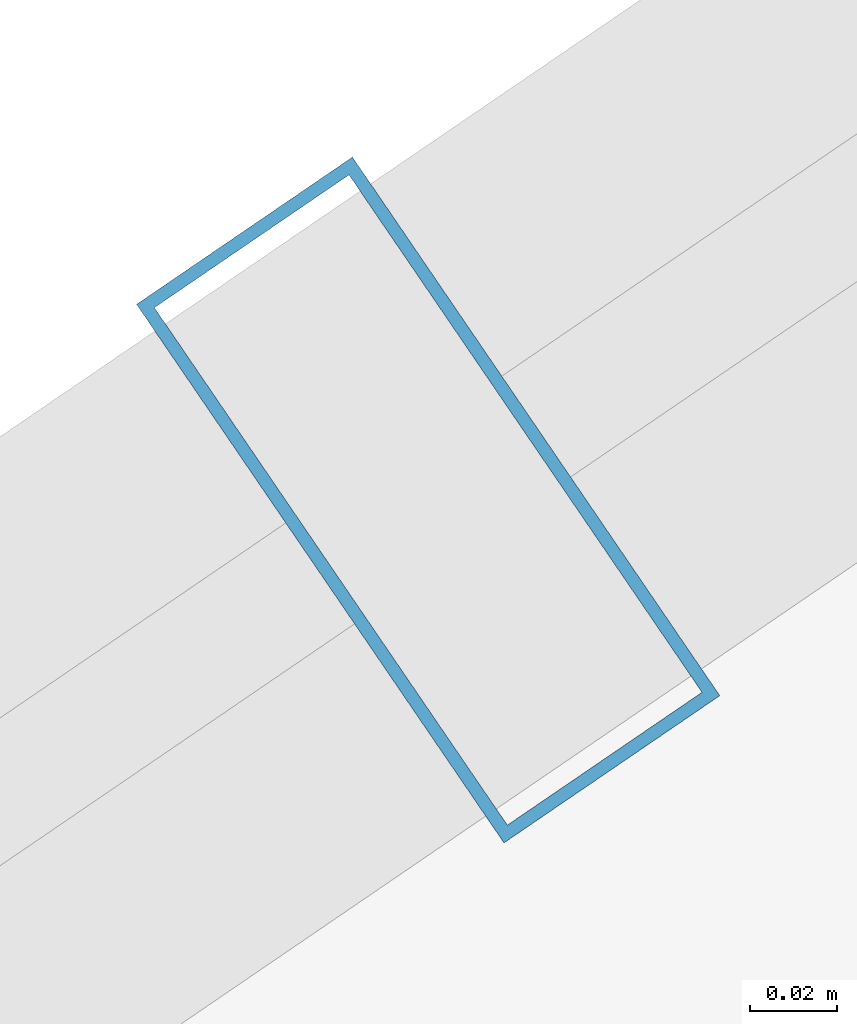
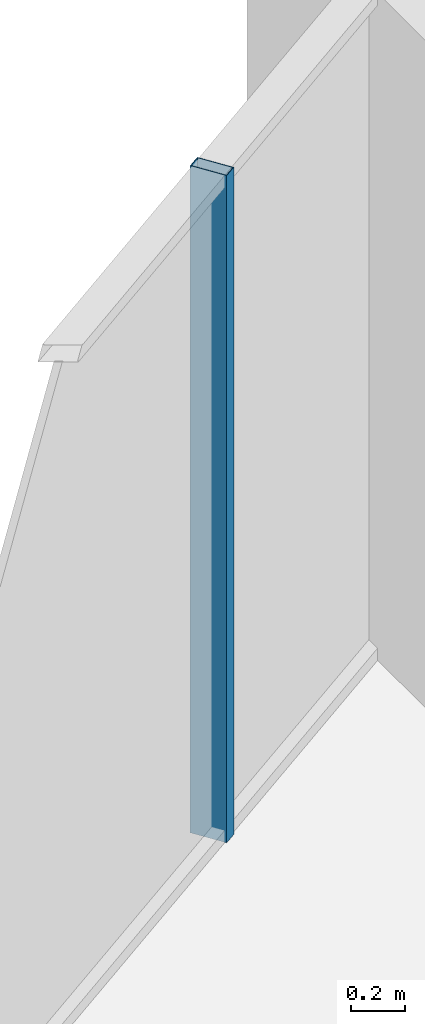
# One storey, part 23 of 34: 1 member, 1 element without a shape of its own.
"""IFC4 building model written with IfcOpenShell, lengths in metres."""

import ifcopenshell
import ifcopenshell.guid

model = None  # the IFC model being written
_history = None  # IfcOwnerHistory: only IFC2X3 demands one
_inside = {}  # id of a spatial element -> (the spatial element, [elements in it])
_under = {}  # id of a project, library or spatial element -> (it, [spatial elements below it])
_declared = {}  # id of a project -> (the project, [libraries it declares])
_typed = {}  # id of a type object -> (the type object, [elements of that type])
_made_of = {}  # id of a material, layer set ... -> (it, [elements and type objects made of it])


def new_model(schema):
    """Start an empty IFC model of exactly this schema.

    Asked for "IFC4X3", IfcOpenShell would pick the latest addendum, in which some entities
    have other attributes; the version numbers below select the first issue.
    IFC2X3 requires an IfcOwnerHistory on every rooted entity: one is made here for all.
    """
    global model, _history
    if schema == "IFC4X3":
        model = ifcopenshell.file(schema_version=(4, 3, 0, 0))
    else:
        model = ifcopenshell.file(schema=schema)
    _inside.clear()
    _under.clear()
    _declared.clear()
    _typed.clear()
    _made_of.clear()
    _history = None
    if model.schema == "IFC2X3":
        org = make("IfcOrganization", Name="unknown")
        user = make(
            "IfcPersonAndOrganization",
            ThePerson=make("IfcPerson", FamilyName="unknown"),
            TheOrganization=org,
        )
        app = make(
            "IfcApplication",
            ApplicationDeveloper=org,
            Version="unknown",
            ApplicationFullName="unknown",
            ApplicationIdentifier="unknown",
        )
        _history = make(
            "IfcOwnerHistory",
            OwningUser=user,
            OwningApplication=app,
            ChangeAction="ADDED",
            CreationDate=0,
        )
    return model


def make(cls, **values):
    """One entity of the class cls with the attributes given. An attribute that is None is left unset."""
    return model.create_entity(
        cls, **{name: value for name, value in values.items() if value is not None}
    )


def rooted(cls, **values):
    """An entity with a GlobalId (a new one), such as an element, a storey or a relation."""
    return make(cls, GlobalId=ifcopenshell.guid.new(), OwnerHistory=_history, **values)


def si_unit(unit_type, name, prefix=None):
    """IfcSIUnit, for example si_unit("LENGTHUNIT", "METRE", prefix="MILLI")."""
    return make("IfcSIUnit", UnitType=unit_type, Prefix=prefix, Name=name)


def assignment(units):
    """IfcUnitAssignment: the units of a project."""
    return None if units is None else make("IfcUnitAssignment", Units=units)


def point(xyz):
    """IfcCartesianPoint."""
    return None if xyz is None else make("IfcCartesianPoint", Coordinates=xyz)


def direction(xyz):
    """IfcDirection."""
    return None if xyz is None else make("IfcDirection", DirectionRatios=xyz)


def frame(location, z_axis=None, x_axis=None):
    """IfcAxis2Placement3D, a coordinate frame: its origin and axes. An axis left out is left unset."""
    return make(
        "IfcAxis2Placement3D",
        Location=point(location),
        Axis=direction(z_axis),
        RefDirection=direction(x_axis),
    )


def frame_2d(location, x_axis=None):
    """IfcAxis2Placement2D, a coordinate frame in the plane: its origin and x axis."""
    return make(
        "IfcAxis2Placement2D", Location=point(location), RefDirection=direction(x_axis)
    )


def origin():
    """The frame at (0, 0, 0) with its axes left unset."""
    return frame((0.0, 0.0, 0.0))


def origin_2d():
    """The frame at (0, 0) in the plane with its x axis left unset."""
    return frame_2d((0.0, 0.0))


def place(relative_to, where):
    """IfcLocalPlacement: puts the frame where relative to a parent placement (None: the world)."""
    return make(
        "IfcLocalPlacement", PlacementRelTo=relative_to, RelativePlacement=where
    )


def context(
    kind, dimensions, precision=None, world=None, true_north=None, identifier=None
):
    """IfcGeometricRepresentationContext, for example the 3D "Model" context."""
    return make(
        "IfcGeometricRepresentationContext",
        ContextIdentifier=identifier,
        ContextType=kind,
        CoordinateSpaceDimension=dimensions,
        Precision=precision,
        WorldCoordinateSystem=world,
        TrueNorth=true_north,
    )


def subcontext(parent, identifier, kind, view, scale=None):
    """IfcGeometricRepresentationSubContext, for example "Body" below "Model"."""
    return make(
        "IfcGeometricRepresentationSubContext",
        ContextIdentifier=identifier,
        ContextType=kind,
        ParentContext=parent,
        TargetScale=scale,
        TargetView=view,
    )


def project(units=None, contexts=None):
    """IfcProject with its units and contexts."""
    return rooted(
        "IfcProject",
        Name="project",
        RepresentationContexts=contexts,
        UnitsInContext=assignment(units),
    )


def spatial(cls, under=None, at=None, **own):
    """A site, building, storey or space (cls), placed at a placement, below another one or the project."""
    s = rooted(cls, ObjectPlacement=at, **own)
    if under is not None:
        _under.setdefault(under.id(), (under, []))[1].append(s)
    return s


def profile(cls, at=None, kind="AREA", **sizes):
    """A parametric profile (cls). Its sizes go by their IFC names, for example OverallWidth=200.0."""
    return make(cls, ProfileType=kind, Position=at, **sizes)


def hollow_rectangle(**sizes):
    """IfcRectangleHollowProfileDef."""
    return profile("IfcRectangleHollowProfileDef", **sizes)


def extrude(swept, where, along, depth):
    """IfcExtrudedAreaSolid: the profile swept, set in the frame where, extruded along a direction by depth."""
    return make(
        "IfcExtrudedAreaSolid",
        SweptArea=swept,
        Position=where,
        ExtrudedDirection=direction(along),
        Depth=depth,
    )


def shape(context_of_items, identifier, shape_type, items):
    """IfcShapeRepresentation: the items that make up one representation, for example the "Body"."""
    return make(
        "IfcShapeRepresentation",
        ContextOfItems=context_of_items,
        RepresentationIdentifier=identifier,
        RepresentationType=shape_type,
        Items=items,
    )


def source(mapping_origin, context_of_items, identifier, shape_type, items):
    """IfcRepresentationMap: a shape defined once, which mapped items show again and again."""
    return make(
        "IfcRepresentationMap",
        MappingOrigin=mapping_origin,
        MappedRepresentation=shape(context_of_items, identifier, shape_type, items),
    )


def transform(
    local_origin,
    x_axis=None,
    y_axis=None,
    z_axis=None,
    scale=None,
    scale2=None,
    scale3=None,
    uniform=True,
):
    """IfcCartesianTransformationOperator3D, or its non-uniform kind. x_axis, y_axis, z_axis: its Axis1, 2, 3."""
    if uniform:
        return make(
            "IfcCartesianTransformationOperator3D",
            Axis1=direction(x_axis),
            Axis2=direction(y_axis),
            LocalOrigin=point(local_origin),
            Scale=scale,
            Axis3=direction(z_axis),
        )
    return make(
        "IfcCartesianTransformationOperator3DnonUniform",
        Axis1=direction(x_axis),
        Axis2=direction(y_axis),
        LocalOrigin=point(local_origin),
        Scale=scale,
        Axis3=direction(z_axis),
        Scale2=scale2,
        Scale3=scale3,
    )


def mapped(mapping_source, mapping_target):
    """IfcMappedItem: shows the shape of a source again, moved by a transform."""
    return make(
        "IfcMappedItem", MappingSource=mapping_source, MappingTarget=mapping_target
    )


def material(Name=None, Category=None):
    """IfcMaterial."""
    return make("IfcMaterial", Name=Name, Category=Category)


def layer(
    of_material, thickness, ventilated=None, Name=None, Category=None, Priority=None
):
    """IfcMaterialLayer: one layer of a wall or slab, of a material (None: an air gap)."""
    return make(
        "IfcMaterialLayer",
        Material=of_material,
        LayerThickness=thickness,
        IsVentilated=ventilated,
        Name=Name,
        Category=Category,
        Priority=Priority,
    )


def layer_set(layers, Name=None):
    """IfcMaterialLayerSet."""
    return make("IfcMaterialLayerSet", MaterialLayers=layers, LayerSetName=Name)


def material_profile(
    of_material, cross_section, Name=None, Category=None, Priority=None
):
    """IfcMaterialProfile: a cross section and its material."""
    return make(
        "IfcMaterialProfile",
        Name=Name,
        Material=of_material,
        Profile=cross_section,
        Priority=Priority,
        Category=Category,
    )


def profile_set(profiles, Name=None, composite=None):
    """IfcMaterialProfileSet."""
    return make(
        "IfcMaterialProfileSet",
        Name=Name,
        MaterialProfiles=profiles,
        CompositeProfile=composite,
    )


def made_of(thing, what):
    """Note that an element or type object is made of a material, layer set ...; save() writes the relation."""
    if what is not None:
        _made_of.setdefault(what.id(), (what, []))[1].append(thing)
    return thing


def type_object(cls, material=None, **own):
    """A type object (cls), such as IfcWallType, which elements share."""
    return made_of(rooted(cls, **own), material)


def element(
    cls,
    number,
    at=None,
    inside=None,
    cuts=None,
    type_object=None,
    material=None,
    context=None,
    identifier="Body",
    shape_type=None,
    held_by="IfcProductDefinitionShape",
    body=None,
    shapes=None,
    **own,
):
    """One element of the class cls, such as IfcWall. Its Tag is "e" and its number.

    at: its placement. inside: the storey or other place that contains it. cuts: it is an
    opening in that element (IfcRelVoidsElement). A single representation is given by context,
    identifier, shape_type and body (its items); several are given by shapes. held_by: the class
    of the entity that holds the representations. save() writes the other relations.
    """
    e = rooted(cls, Tag="e%d" % number, ObjectPlacement=at, **own)
    if body is not None:
        shapes = [shape(context, identifier, shape_type, body)]
    if shapes is not None:
        e.Representation = make(held_by, Representations=shapes)
    if inside is not None:
        _inside.setdefault(inside.id(), (inside, []))[1].append(e)
    if cuts is not None:
        rooted(
            "IfcRelVoidsElement", RelatingBuildingElement=cuts, RelatedOpeningElement=e
        )
    if type_object is not None:
        _typed.setdefault(type_object.id(), (type_object, []))[1].append(e)
    return made_of(e, material)


def aggregate(whole, parts):
    """IfcRelAggregates: a whole, such as a stair, and the parts it consists of."""
    return rooted("IfcRelAggregates", RelatingObject=whole, RelatedObjects=parts)


def save(model, path):
    """Write the relations noted so far, then the file.

    IfcRelAggregates (storeys below a building ...), IfcRelContainedInSpatialStructure (elements
    in a storey), IfcRelDefinesByType, IfcRelAssociatesMaterial and IfcRelDeclares: one each for
    every whole, place, type object, material and project.
    """
    for whole, parts in _under.values():
        aggregate(whole, parts)
    for where, things in _inside.values():
        rooted(
            "IfcRelContainedInSpatialStructure",
            RelatedElements=things,
            RelatingStructure=where,
        )
    for kind, things in _typed.values():
        rooted("IfcRelDefinesByType", RelatedObjects=things, RelatingType=kind)
    for what, things in _made_of.values():
        rooted("IfcRelAssociatesMaterial", RelatedObjects=things, RelatingMaterial=what)
    for by, libraries in _declared.values():
        rooted("IfcRelDeclares", RelatingContext=by, RelatedDefinitions=libraries)
    model.write(path)


model = new_model("IFC4")

# Units and contexts
model_context = context("Model", 3, precision=1e-05, world=origin(), true_north=direction((0.0, 1.0)))
body_context = subcontext(model_context, "Body", "Model", "MODEL_VIEW")
ifc_project = project(units=[si_unit("LENGTHUNIT", "METRE"), si_unit("AREAUNIT", "SQUARE_METRE"), si_unit("VOLUMEUNIT", "CUBIC_METRE"), si_unit("PLANEANGLEUNIT", "RADIAN"), si_unit("MASSUNIT", "GRAM", prefix="KILO")], contexts=[model_context])

# Site, building, storey
site_placement = place(None, origin())
site = spatial("IfcSite", under=ifc_project, at=site_placement, CompositionType="ELEMENT")
building_placement = place(site_placement, origin())
building = spatial("IfcBuilding", under=site, at=building_placement, Name="Veraguas Prism Commons", CompositionType="ELEMENT")
storey_placement = place(building_placement, frame((0.0, 0.0, 191.85009765625)))
storey = spatial("IfcBuildingStorey", under=building, at=storey_placement, Name="L54", CompositionType="ELEMENT", Elevation=191.85009765625)

# Curtain wall, member
ifc_material = material(Name="Anodised aluminium EN AW-6063 T6", Category="aluminium")
ifc_layer = layer(ifc_material, 0.14990234375, Name="Unitised Flush Curtain Wall Zone 3", Category="aluminium")
ifc_layer_set = layer_set([ifc_layer], Name="Anodised aluminium EN AW-6063 T6")
curtain_wall_type = type_object("IfcCurtainWallType", Name="Unitised Flush Curtain Wall Zone 3", PredefinedType="NOTDEFINED", material=ifc_layer_set)
curtain_wall_placement = place(storey_placement, origin())
curtain_wall = element("IfcCurtainWall", 1, at=curtain_wall_placement, inside=storey, type_object=curtain_wall_type, Name="Tower Facade Curtain Wall L54-F2", PredefinedType="NOTDEFINED")
ifc_material_profile = material_profile(ifc_material, hollow_rectangle(XDim=0.06005859375, YDim=0.14990234375, WallThickness=0.0029296875, at=origin_2d()), Name="AL60X150X3")
ifc_profile_set = profile_set([ifc_material_profile], Name="Anodised aluminium EN AW-6063 T6")
member_type = type_object("IfcMemberType", Name="Curtain Wall Mullion Upper AL 60x150x3", PredefinedType="MULLION", material=ifc_profile_set)
shared_shape = source(origin(), body_context, "Body", "SweptSolid", [
    extrude(hollow_rectangle(XDim=0.06005859375, YDim=0.14990234375, WallThickness=0.0029296875, at=origin_2d()), origin(), (0.0, 0.0, 1.0), 3.014892578125),
])
member_placement = place(storey_placement, frame((14.019775390625, 38.63037109375, 0.0), z_axis=(0.0, 0.0, 1.0), x_axis=(-0.826095343869, -0.56353037437, 0.0)))
member = element("IfcMember", 2, at=member_placement, type_object=member_type, Name="CW-Z3 Mullion 3", PredefinedType="MULLION", context=body_context, shape_type="MappedRepresentation", body=[
    mapped(shared_shape, transform((0.0, 0.0, 0.0), scale=1.0)),
])
aggregate(curtain_wall, [member])

save(model, "model.ifc")
